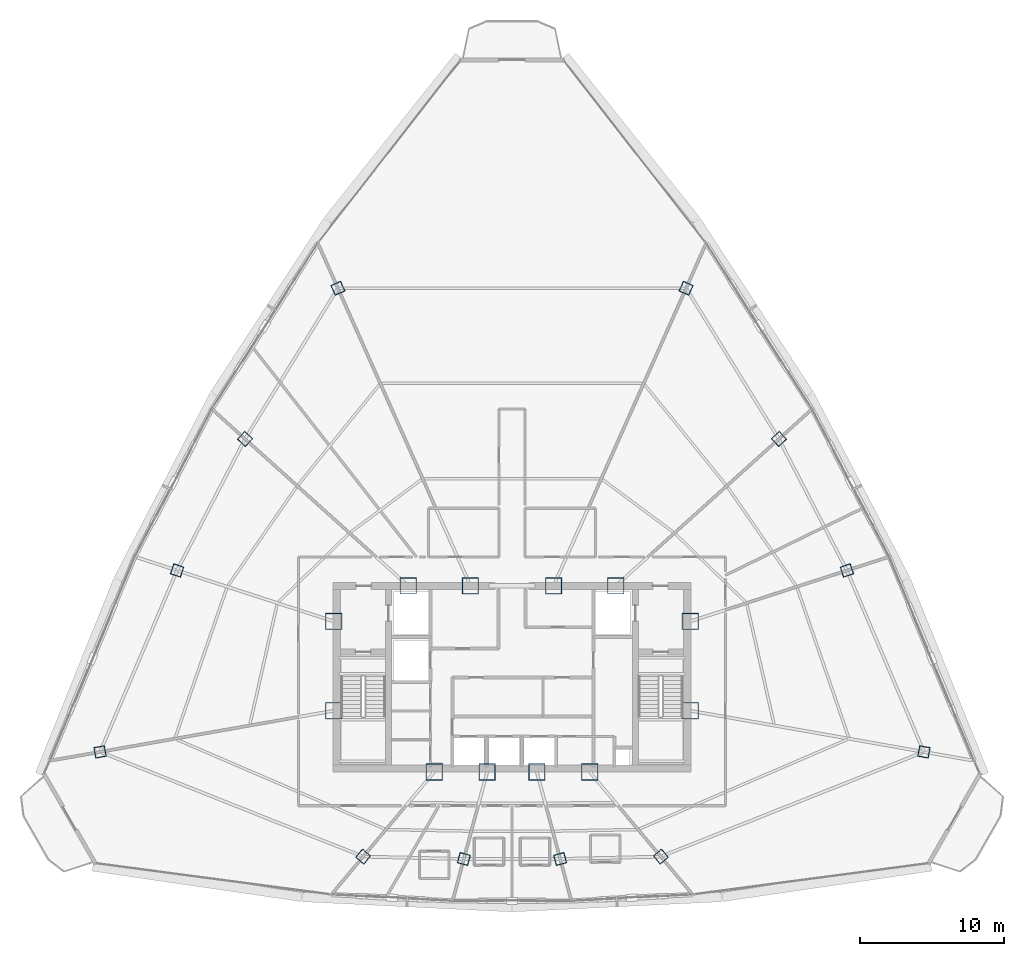
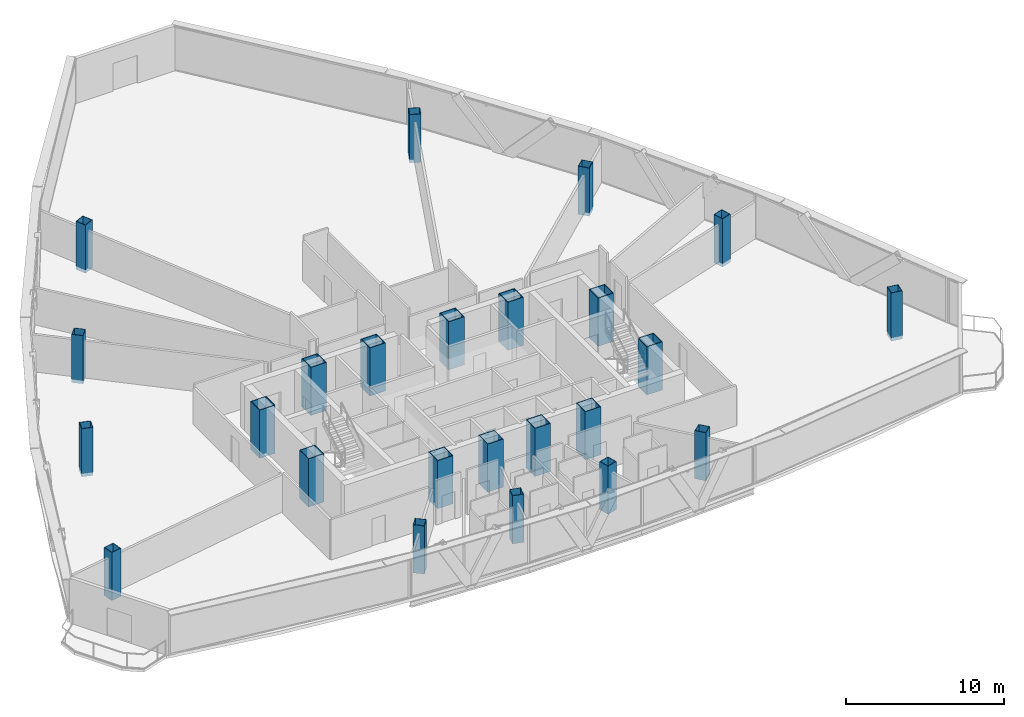
# One storey, part 1 of 37: 24 columns.
"""IFC4 building model written with IfcOpenShell, lengths in metres."""

from ifc_helpers import new_model, si_unit, direction, frame, origin, origin_2d, place, context, subcontext, project, spatial, hollow_rectangle, extrude, source, transform, mapped, material, material_profile, profile_set, type_object, element, save


model = new_model("IFC4")

# Units and contexts
model_context = context("Model", 3, precision=1e-05, world=origin(), true_north=direction((0.0, 1.0)))
body_context = subcontext(model_context, "Body", "Model", "MODEL_VIEW")
ifc_project = project(units=[si_unit("LENGTHUNIT", "METRE"), si_unit("AREAUNIT", "SQUARE_METRE"), si_unit("VOLUMEUNIT", "CUBIC_METRE"), si_unit("PLANEANGLEUNIT", "RADIAN"), si_unit("MASSUNIT", "GRAM", prefix="KILO"), si_unit("THERMODYNAMICTEMPERATUREUNIT", "KELVIN"), si_unit("POWERUNIT", "WATT")], contexts=[model_context])

# Site, building, storey
site_placement = place(None, origin())
site = spatial("IfcSite", under=ifc_project, at=site_placement, CompositionType="ELEMENT")
building_placement = place(site_placement, origin())
building = spatial("IfcBuilding", under=site, at=building_placement, Name="Yunzhuo Pagoda Commons", CompositionType="ELEMENT")
storey_placement = place(building_placement, frame((0.0, 0.0, 281.2900390625)))
storey = spatial("IfcBuildingStorey", under=building, at=storey_placement, Name="L70", CompositionType="ELEMENT", Elevation=281.2900390625)

# Columns
ifc_material_1 = material(Name="Structural steel Q420B", Category="steel")
ifc_material_profile_1 = material_profile(ifc_material_1, hollow_rectangle(XDim=1.14990234375, YDim=1.14990234375, WallThickness=0.048095703125, at=origin_2d()), Name="Structural steel Q420B")
ifc_profile_set_1 = profile_set([ifc_material_profile_1], Name="Structural steel Q420B")
column_type_1 = type_object("IfcColumnType", Name="C-COR Column BOX 1150x1150x48", PredefinedType="COLUMN", material=ifc_profile_set_1)
shared_shape_1 = source(origin(), body_context, "Body", "SweptSolid", [
    extrude(hollow_rectangle(XDim=1.14990234375, YDim=1.14990234375, WallThickness=0.048095703125, at=origin_2d()), origin(), (0.0, 0.0, 1.0), 3.72998046875),
])
for number, where, z_axis, x_axis, name in (
    (1, (42.587890625, 27.25, -0.260009765625), (0.0, 0.0, 1.0), (1.0, 0.0, 0.0), "L70 core composite column F1C1"),
    (2, (46.27197265625, 27.25, -0.260009765625), (0.0, 0.0, 1.0), (1.0, 0.0, 0.0), "L70 core composite column F1C2"),
    (3, (49.728515625, 27.25, -0.260009765625), (0.0, 0.0, 1.0), (1.0, 0.0, 0.0), "L70 core composite column F1C3"),
    (4, (53.412109375, 27.25, -0.260009765625), (0.0, 0.0, 1.0), (1.0, 0.0, 0.0), "L70 core composite column F1C4"),
    (5, (60.39990234375, 31.513427734375, -0.260009765625), (0.0, 0.0, 1.0), (1.0, 0.0, 0.0), "L70 core composite column F2C1"),
    (6, (60.39990234375, 37.72900390625, -0.260009765625), (0.0, 0.0, 1.0), (1.0, 0.0, 0.0), "L70 core composite column F2C2"),
    (7, (55.218994140625, 40.199951171875, -0.260009765625), (0.0, 0.0, 1.0), (1.0, 0.0, 0.0), "L70 core composite column F2C3"),
    (8, (50.89404296875, 40.199951171875, -0.260009765625), (0.0, 0.0, 1.0), (1.0, 0.0, 0.0), "L70 core composite column F2C4"),
    (9, (45.10595703125, 40.199951171875, -0.260009765625), (0.0, 0.0, 1.0), (1.0, 0.0, 0.0), "L70 core composite column F3C1"),
    (10, (40.781005859375, 40.199951171875, -0.260009765625), (0.0, 0.0, 1.0), (1.0, 0.0, 0.0), "L70 core composite column F3C2"),
    (11, (35.60009765625, 37.72900390625, -0.260009765625), (0.0, 0.0, 1.0), (1.0, 0.0, 0.0), "L70 core composite column F3C3"),
    (12, (35.60009765625, 31.513427734375, -0.260009765625), (0.0, 0.0, 1.0), (1.0, 0.0, 0.0), "L70 core composite column F3C4"),
):
    element("IfcColumn", number, at=place(storey_placement, frame(where, z_axis=z_axis, x_axis=x_axis)), inside=storey, type_object=column_type_1, Name=name, PredefinedType="COLUMN", context=body_context, shape_type="MappedRepresentation", body=[
        mapped(shared_shape_1, transform((0.0, 0.0, 0.0), scale=1.0)),
    ])
ifc_material_2 = material(Name="Structural steel Q355B", Category="steel")
ifc_material_profile_2 = material_profile(ifc_material_2, hollow_rectangle(XDim=0.75, YDim=0.75, WallThickness=0.028076171875, at=origin_2d()), Name="Structural steel Q355B")
ifc_profile_set_2 = profile_set([ifc_material_profile_2], Name="Structural steel Q355B")
column_type_2 = type_object("IfcColumnType", Name="C-Z6 Column BOX 750x750x28", PredefinedType="COLUMN", material=ifc_profile_set_2)
shared_shape_2 = source(origin(), body_context, "Body", "SweptSolid", [
    extrude(hollow_rectangle(XDim=0.75, YDim=0.75, WallThickness=0.028076171875, at=origin_2d()), origin(), (0.0, 0.0, 1.0), 3.72998046875),
])
for number, where, z_axis, x_axis, name in (
    (13, (37.64697265625, 21.361572265625, -0.260009765625), (0.0, 0.0, 1.0), (0.766044443119, -0.642787609687, 0.0), "L70 tower column F1C1"),
    (14, (44.6494140625, 21.195556640625, -0.260009765625), (0.0, 0.0, 1.0), (0.965925826289, -0.258819045103, 0.0), "L70 tower column F1C2"),
    (15, (51.3505859375, 21.195556640625, -0.260009765625), (0.0, 0.0, 1.0), (0.965925826289, 0.258819045103, 0.0), "L70 tower column F1C3"),
    (16, (58.353515625, 21.361572265625, -0.260009765625), (0.0, 0.0, 1.0), (0.766044443119, 0.642787609687, 0.0), "L70 tower column F1C4"),
    (17, (76.66162109375, 28.646240234375, -0.260009765625), (0.0, 0.0, 1.0), (0.173648177667, 0.984807753012, 0.0), "L70 tower column F2C1"),
    (18, (71.302490234375, 41.271484375, -0.260009765625), (0.0, 0.0, 1.0), (-0.309016994375, 0.951056516295, 0.0), "L70 tower column F2C2"),
    (19, (66.5732421875, 50.423583984375, -0.260009765625), (0.0, 0.0, 1.0), (-0.669130606359, 0.743144825477, 0.0), "L70 tower column F2C3"),
    (20, (60.1142578125, 60.9091796875, -0.260009765625), (0.0, 0.0, 1.0), (-0.913545457643, 0.406736643076, 0.0), "L70 tower column F2C4"),
    (21, (35.8857421875, 60.9091796875, -0.260009765625), (0.0, 0.0, 1.0), (-0.913545457643, -0.406736643076, 0.0), "L70 tower column F3C1"),
    (22, (29.4267578125, 50.423583984375, -0.260009765625), (0.0, 0.0, 1.0), (-0.669130606359, -0.743144825477, 0.0), "L70 tower column F3C2"),
    (23, (24.697509765625, 41.271484375, -0.260009765625), (0.0, 0.0, 1.0), (-0.309016994375, -0.951056516295, 0.0), "L70 tower column F3C3"),
    (24, (19.33837890625, 28.646240234375, -0.260009765625), (0.0, 0.0, 1.0), (0.173648177667, -0.984807753012, 0.0), "L70 tower column F3C4"),
):
    element("IfcColumn", number, at=place(storey_placement, frame(where, z_axis=z_axis, x_axis=x_axis)), inside=storey, type_object=column_type_2, Name=name, PredefinedType="COLUMN", context=body_context, shape_type="MappedRepresentation", body=[
        mapped(shared_shape_2, transform((0.0, 0.0, 0.0), scale=1.0)),
    ])

save(model, "model.ifc")
